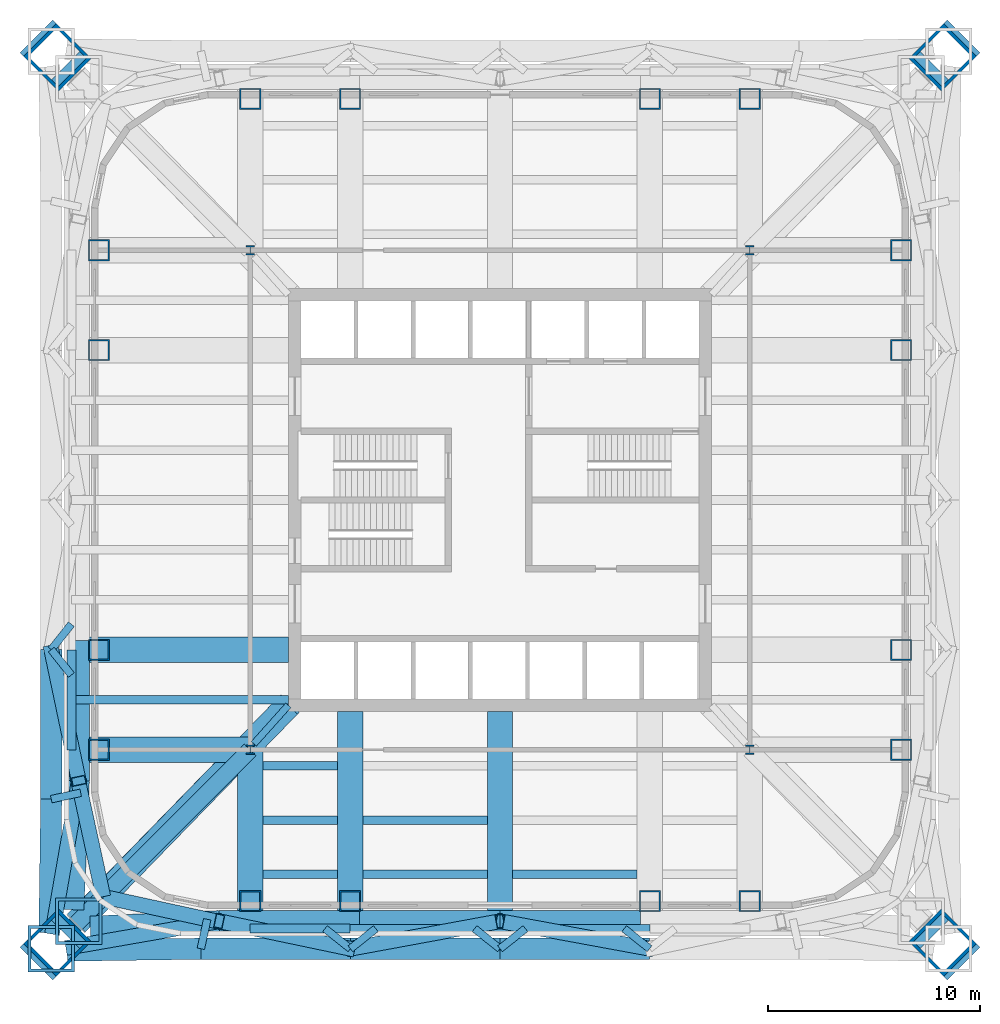
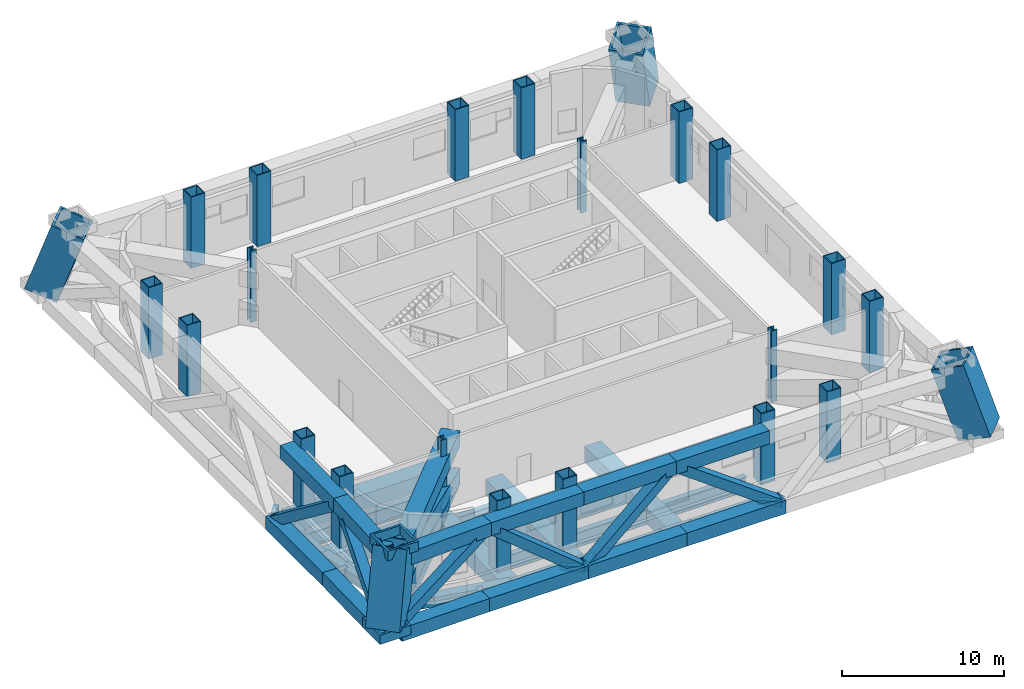
# One storey, part 1 of 9: 42 beams, 24 columns, 9 members.
"""IFC4 building model written with IfcOpenShell, lengths in metres."""

from ifc_helpers import new_model, si_unit, direction, frame, origin, origin_2d, place, context, subcontext, project, spatial, hollow_rectangle, i_section, extrude, clip, halfspace, material, material_profile, profile_set, type_object, element, save


model = new_model("IFC4")

# Units and contexts
model_context = context("Model", 3, precision=1e-05, world=origin(), true_north=direction((0.0, 1.0)))
body_context = subcontext(model_context, "Body", "Model", "MODEL_VIEW")
ifc_project = project(units=[si_unit("LENGTHUNIT", "METRE"), si_unit("AREAUNIT", "SQUARE_METRE"), si_unit("VOLUMEUNIT", "CUBIC_METRE"), si_unit("PLANEANGLEUNIT", "RADIAN"), si_unit("MASSUNIT", "GRAM", prefix="KILO")], contexts=[model_context])

# Site, building, storey
site_placement = place(None, origin())
site = spatial("IfcSite", under=ifc_project, at=site_placement, CompositionType="ELEMENT")
building_placement = place(site_placement, origin())
building = spatial("IfcBuilding", under=site, at=building_placement, Name="Turquesa Mirador Hotel Tower", CompositionType="ELEMENT")
storey_placement = place(building_placement, frame((0.0, 0.0, 156.39990234375)))
storey = spatial("IfcBuildingStorey", under=building, at=storey_placement, Name="L42", CompositionType="ELEMENT", Elevation=156.39990234375)

# Columns
ifc_material_1 = material(Name="Steel ASTM A572 Grade 50", Category="steel")
ifc_material_profile_1 = material_profile(ifc_material_1, hollow_rectangle(XDim=1.0, YDim=1.0, WallThickness=0.06005859375, at=origin_2d()), Name="BOX1000X1000X60")
ifc_profile_set_1 = profile_set([ifc_material_profile_1], Name="Steel ASTM A572 Grade 50")
column_type_1 = type_object("IfcColumnType", Name="COLUMN BOX1000X1000X60", PredefinedType="COLUMN", material=ifc_profile_set_1)
for number, where, z_axis, x_axis, name in (
    (1, (36.050048828125, 33.199951171875, 0.0), (0.0, 0.0, 1.0), (1.0, 0.0, 0.0), "COL-L42-P--18.95--11.80"),
    (2, (36.050048828125, 37.919921875, 0.0), (0.0, 0.0, 1.0), (1.0, 0.0, 0.0), "COL-L42-P--18.95--7.08"),
    (3, (36.050048828125, 52.080078125, 0.0), (0.0, 0.0, 1.0), (1.0, 0.0, 0.0), "COL-L42-P--18.95-+7.08"),
    (4, (36.050048828125, 56.800048828125, 0.0), (0.0, 0.0, 1.0), (1.0, 0.0, 0.0), "COL-L42-P--18.95-+11.80"),
    (5, (43.199951171875, 26.050048828125, 0.0), (0.0, 0.0, 1.0), (1.0, 0.0, 0.0), "COL-L42-P--11.80--18.95"),
    (6, (43.199951171875, 63.949951171875, 0.0), (0.0, 0.0, 1.0), (1.0, 0.0, 0.0), "COL-L42-P--11.80-+18.95"),
    (7, (47.919921875, 26.050048828125, 0.0), (0.0, 0.0, 1.0), (1.0, 0.0, 0.0), "COL-L42-P--7.08--18.95"),
    (8, (47.919921875, 63.949951171875, 0.0), (0.0, 0.0, 1.0), (1.0, 0.0, 0.0), "COL-L42-P--7.08-+18.95"),
    (9, (62.080078125, 26.050048828125, 0.0), (0.0, 0.0, 1.0), (1.0, 0.0, 0.0), "COL-L42-P-+7.08--18.95"),
    (10, (62.080078125, 63.949951171875, 0.0), (0.0, 0.0, 1.0), (1.0, 0.0, 0.0), "COL-L42-P-+7.08-+18.95"),
    (11, (66.800048828125, 26.050048828125, 0.0), (0.0, 0.0, 1.0), (1.0, 0.0, 0.0), "COL-L42-P-+11.80--18.95"),
    (12, (66.800048828125, 63.949951171875, 0.0), (0.0, 0.0, 1.0), (1.0, 0.0, 0.0), "COL-L42-P-+11.80-+18.95"),
    (13, (73.949951171875, 33.199951171875, 0.0), (0.0, 0.0, 1.0), (1.0, 0.0, 0.0), "COL-L42-P-+18.95--11.80"),
    (14, (73.949951171875, 37.919921875, 0.0), (0.0, 0.0, 1.0), (1.0, 0.0, 0.0), "COL-L42-P-+18.95--7.08"),
    (15, (73.949951171875, 52.080078125, 0.0), (0.0, 0.0, 1.0), (1.0, 0.0, 0.0), "COL-L42-P-+18.95-+7.08"),
    (16, (73.949951171875, 56.800048828125, 0.0), (0.0, 0.0, 1.0), (1.0, 0.0, 0.0), "COL-L42-P-+18.95-+11.80"),
):
    element("IfcColumn", number, at=place(storey_placement, frame(where, z_axis=z_axis, x_axis=x_axis)), inside=storey, type_object=column_type_1, Name=name, PredefinedType="COLUMN", context=body_context, shape_type="SweptSolid", body=[
        extrude(hollow_rectangle(XDim=1.0, YDim=1.0, WallThickness=0.06005859375, at=origin_2d()), origin(), (0.0, 0.0, 1.0), 5.400146484375),
    ])
ifc_material_2 = material(Name="Steel ASTM A992 Grade 50", Category="steel")
ifc_material_profile_2 = material_profile(ifc_material_2, i_section(OverallWidth=0.421630859375, OverallDepth=0.46484375, WebThickness=0.044921875, FlangeThickness=0.072509765625, at=origin_2d()), Name="W14X398")
ifc_profile_set_2 = profile_set([ifc_material_profile_2], Name="Steel ASTM A992 Grade 50")
column_type_2 = type_object("IfcColumnType", Name="COLUMN W14X398", PredefinedType="COLUMN", material=ifc_profile_set_2)
for number, where, z_axis, x_axis, name in (
    (17, (43.199951171875, 33.199951171875, 0.0), (0.0, 0.0, 1.0), (1.0, 0.0, 0.0), "COL-L42-K--11.80--11.80"),
    (18, (43.199951171875, 56.800048828125, 0.0), (0.0, 0.0, 1.0), (1.0, 0.0, 0.0), "COL-L42-K--11.80-+11.80"),
    (19, (66.800048828125, 33.199951171875, 0.0), (0.0, 0.0, 1.0), (1.0, 0.0, 0.0), "COL-L42-K-+11.80--11.80"),
    (20, (66.800048828125, 56.800048828125, 0.0), (0.0, 0.0, 1.0), (1.0, 0.0, 0.0), "COL-L42-K-+11.80-+11.80"),
):
    element("IfcColumn", number, at=place(storey_placement, frame(where, z_axis=z_axis, x_axis=x_axis)), inside=storey, type_object=column_type_2, Name=name, PredefinedType="COLUMN", context=body_context, shape_type="SweptSolid", body=[
        extrude(i_section(OverallWidth=0.421630859375, OverallDepth=0.46484375, WebThickness=0.044921875, FlangeThickness=0.072509765625, at=origin_2d()), origin(), (0.0, 0.0, 1.0), 5.400146484375),
    ])
ifc_material_3 = material(Name="Steel ASTM A514 Grade Q", Category="steel")
ifc_material_profile_3 = material_profile(ifc_material_3, hollow_rectangle(XDim=2.199951171875, YDim=2.199951171875, WallThickness=0.14990234375, at=origin_2d()), Name="BOX2200X2200X150")
ifc_profile_set_3 = profile_set([ifc_material_profile_3], Name="Steel ASTM A514 Grade Q")
column_type_3 = type_object("IfcColumnType", Name="MEGA COLUMN BOX2200X2200X150", PredefinedType="COLUMN", material=ifc_profile_set_3)
for number, where, z_axis, x_axis, name in (
    (21, (76.199951171875, 66.199951171875, 0.0), (-0.227897015809, -0.227897015809, 0.946639266231), (0.707106781187, -0.707106781187, 0.0), "Mega column M1"),
    (22, (33.800048828125, 66.199951171875, 0.0), (0.227897015809, -0.227897015809, 0.946639266231), (0.707106781187, 0.707106781187, 0.0), "Mega column M2"),
    (23, (33.800048828125, 23.800048828125, 0.0), (0.227897015809, 0.227897015809, 0.946639266231), (-0.707106781187, 0.707106781187, 0.0), "Mega column M3"),
    (24, (76.199951171875, 23.800048828125, 0.0), (-0.227897015809, 0.227897015809, 0.946639266231), (-0.707106781187, -0.707106781187, 0.0), "Mega column M4"),
):
    element("IfcColumn", number, at=place(storey_placement, frame(where, z_axis=z_axis, x_axis=x_axis)), inside=storey, type_object=column_type_3, Name=name, PredefinedType="COLUMN", context=body_context, shape_type="Clipping", body=[
        clip(clip(extrude(hollow_rectangle(XDim=2.199951171875, YDim=2.199951171875, WallThickness=0.14990234375, at=origin_2d()), origin(), (0.0, 0.0, 1.0), 5.70458984375), halfspace(frame((0.0, 0.0, 0.16455078125), z_axis=(0.0, 0.0, -1.0), x_axis=(1.0, 0.0, 0.0)), False)), halfspace(frame((0.0, 0.0, 5.5400390625), z_axis=(0.0, 0.0, 1.0), x_axis=(1.0, 0.0, 0.0)), False)),
    ])

# Beams
ifc_material_4 = material(Name="Steel ASTM A572 Grade 50", Category="steel")
ifc_material_profile_4 = material_profile(ifc_material_4, hollow_rectangle(XDim=1.199951171875, YDim=1.199951171875, WallThickness=0.06005859375, at=origin_2d()), Name="BOX1200X1200X60")
ifc_profile_set_4 = profile_set([ifc_material_profile_4], Name="Steel ASTM A572 Grade 50")
beam_type_1 = type_object("IfcBeamType", Name="BEAM BOX1200X1200X60", PredefinedType="BEAM", material=ifc_profile_set_4)
for number, where, z_axis, x_axis, name in (
    (25, (47.919921875, 24.75, -0.849853515625), (0.0, 1.0, 0.0), (-1.0, 0.0, 0.0), "GD-L42-S--7.08"),
    (26, (55.0, 24.75, -0.849853515625), (0.0, 1.0, 0.0), (-1.0, 0.0, 0.0), "GD-L42-S-+0.00"),
):
    element("IfcBeam", number, at=place(storey_placement, frame(where, z_axis=z_axis, x_axis=x_axis)), inside=storey, type_object=beam_type_1, Name=name, PredefinedType="BEAM", context=body_context, shape_type="SweptSolid", body=[
        extrude(hollow_rectangle(XDim=1.199951171875, YDim=1.199951171875, WallThickness=0.06005859375, at=origin_2d()), origin(), (0.0, 0.0, 1.0), 10.25),
    ])
beam_1_placement = place(storey_placement, frame((43.199951171875, 24.75, -0.849853515625), z_axis=(0.0, 1.0, 0.0), x_axis=(-1.0, 0.0, 0.0)))
element("IfcBeam", 27, at=beam_1_placement, inside=storey, type_object=beam_type_1, Name="GK-L42-S--11.80", PredefinedType="BEAM", context=body_context, shape_type="SweptSolid", body=[
    extrude(hollow_rectangle(XDim=1.199951171875, YDim=1.199951171875, WallThickness=0.06005859375, at=origin_2d()), origin(), (0.0, 0.0, 1.0), 8.449951171875),
])
beam_2_placement = place(storey_placement, frame((34.75, 37.919921875, -0.849853515625), z_axis=(1.0, 0.0, 0.0), x_axis=(0.0, 1.0, 0.0)))
element("IfcBeam", 28, at=beam_2_placement, inside=storey, type_object=beam_type_1, Name="GD-L42-W--7.08", PredefinedType="BEAM", context=body_context, shape_type="SweptSolid", body=[
    extrude(hollow_rectangle(XDim=1.199951171875, YDim=1.199951171875, WallThickness=0.06005859375, at=origin_2d()), origin(), (0.0, 0.0, 1.0), 10.25),
])
beam_3_placement = place(storey_placement, frame((34.75, 33.199951171875, -0.849853515625), z_axis=(1.0, 0.0, 0.0), x_axis=(0.0, 1.0, 0.0)))
element("IfcBeam", 29, at=beam_3_placement, inside=storey, type_object=beam_type_1, Name="GK-L42-W--11.80", PredefinedType="BEAM", context=body_context, shape_type="SweptSolid", body=[
    extrude(hollow_rectangle(XDim=1.199951171875, YDim=1.199951171875, WallThickness=0.06005859375, at=origin_2d()), origin(), (0.0, 0.0, 1.0), 8.449951171875),
])
ifc_material_5 = material(Name="Steel ASTM A572 Grade 50", Category="steel")
ifc_material_profile_5 = material_profile(ifc_material_5, hollow_rectangle(XDim=0.699951171875, YDim=0.699951171875, WallThickness=0.044921875, at=origin_2d()), Name="BOX700X700X45")
ifc_profile_set_5 = profile_set([ifc_material_profile_5], Name="Steel ASTM A572 Grade 50")
beam_type_2 = type_object("IfcBeamType", Name="BEAM BOX700X700X45", PredefinedType="BEAM", material=ifc_profile_set_5)
for number, where, z_axis, x_axis, name in (
    (30, (34.75, 33.199951171875, -0.599853515625), (0.212328336885, -0.977198381781, 0.0), (0.977198381781, 0.212328336885, 0.0), "KE-L42-3-0"),
    (31, (36.25830078125, 26.25830078125, -0.599853515625), (0.977198381781, -0.212328336885, 0.0), (0.212328336885, 0.977198381781, 0.0), "KE-L42-3-1"),
):
    element("IfcBeam", number, at=place(storey_placement, frame(where, z_axis=z_axis, x_axis=x_axis)), inside=storey, type_object=beam_type_2, Name=name, PredefinedType="BEAM", context=body_context, shape_type="SweptSolid", body=[
        extrude(hollow_rectangle(XDim=0.699951171875, YDim=0.699951171875, WallThickness=0.044921875, at=origin_2d()), origin(), (0.0, 0.0, 1.0), 7.103515625),
    ])
ifc_material_6 = material(Name="Steel ASTM A572 Grade 50", Category="steel")
ifc_material_profile_6 = material_profile(ifc_material_6, hollow_rectangle(XDim=0.800048828125, YDim=0.800048828125, WallThickness=0.050048828125, at=origin_2d()), Name="BOX800X800X50")
ifc_profile_set_6 = profile_set([ifc_material_profile_6], Name="Steel ASTM A572 Grade 50")
beam_type_3 = type_object("IfcBeamType", Name="BEAM BOX800X800X50", PredefinedType="BEAM", material=ifc_profile_set_6)
beam_4_placement = place(storey_placement, frame((43.199951171875, 33.199951171875, -0.64990234375), z_axis=(-0.707106781187, -0.707106781187, 0.0), x_axis=(0.707106781187, -0.707106781187, 0.0)))
element("IfcBeam", 32, at=beam_4_placement, inside=storey, type_object=beam_type_3, Name="KD-L42-3", PredefinedType="BEAM", context=body_context, shape_type="SweptSolid", body=[
    extrude(hollow_rectangle(XDim=0.800048828125, YDim=0.800048828125, WallThickness=0.050048828125, at=origin_2d()), origin(), (0.0, 0.0, 1.0), 11.80859375),
])
ifc_material_7 = material(Name="Steel ASTM A992 Grade 50", Category="steel")
ifc_material_profile_7 = material_profile(ifc_material_7, i_section(OverallWidth=0.3251953125, OverallDepth=0.612060546875, WebThickness=0.0126953125, FlangeThickness=0.01904296875, at=origin_2d()), Name="W24X104")
ifc_profile_set_7 = profile_set([ifc_material_profile_7], Name="Steel ASTM A992 Grade 50")
beam_type_4 = type_object("IfcBeamType", Name="BEAM W24X104", PredefinedType="BEAM", material=ifc_profile_set_7)
beam_5_placement = place(storey_placement, frame((43.373046875, 33.481689453125, -0.555908203125), z_axis=(0.66679485947, 0.745241313525, 0.0), x_axis=(-0.745241313525, 0.66679485947, 0.0)))
element("IfcBeam", 33, at=beam_5_placement, inside=storey, type_object=beam_type_4, Name="KT-L42-3", PredefinedType="BEAM", context=body_context, shape_type="SweptSolid", body=[
    extrude(i_section(OverallWidth=0.3251953125, OverallDepth=0.612060546875, WebThickness=0.0126953125, FlangeThickness=0.01904296875, at=origin_2d()), origin(), (0.0, 0.0, 1.0), 2.43994140625),
])
ifc_material_8 = material(Name="Steel ASTM A992 Grade 50", Category="steel")
ifc_material_profile_8 = material_profile(ifc_material_8, i_section(OverallWidth=0.419189453125, OverallDepth=0.927001953125, WebThickness=0.019287109375, FlangeThickness=0.031982421875, at=origin_2d()), Name="W36X231")
ifc_profile_set_8 = profile_set([ifc_material_profile_8], Name="Steel ASTM A992 Grade 50")
beam_type_5 = type_object("IfcBeamType", Name="BEAM W36X231", PredefinedType="BEAM", material=ifc_profile_set_8)
for number, where, z_axis, x_axis, name in (
    (34, (43.199951171875, 24.75, -0.71337890625), (1.0, 0.0, 0.0), (0.0, 1.0, 0.0), "EB-L42-S-L"),
    (35, (34.75, 33.199951171875, -0.71337890625), (0.0, 1.0, 0.0), (-1.0, 0.0, 0.0), "EB-L42-W-L"),
):
    element("IfcBeam", number, at=place(storey_placement, frame(where, z_axis=z_axis, x_axis=x_axis)), inside=storey, type_object=beam_type_5, Name=name, PredefinedType="BEAM", context=body_context, shape_type="SweptSolid", body=[
        extrude(i_section(OverallWidth=0.419189453125, OverallDepth=0.927001953125, WebThickness=0.019287109375, FlangeThickness=0.031982421875, at=origin_2d()), origin(), (0.0, 0.0, 1.0), 4.719970703125),
    ])
ifc_material_9 = material(Name="Steel ASTM A992 Grade 50", Category="steel")
ifc_material_profile_9 = material_profile(ifc_material_9, i_section(OverallWidth=0.40380859375, OverallDepth=1.11767578125, WebThickness=0.026123046875, FlangeThickness=0.044921875, at=origin_2d()), Name="W44X335")
ifc_profile_set_9 = profile_set([ifc_material_profile_9], Name="Steel ASTM A992 Grade 50")
beam_type_6 = type_object("IfcBeamType", Name="BEAM W44X335", PredefinedType="BEAM", material=ifc_profile_set_9)
for number, where, z_axis, x_axis, name in (
    (36, (43.800048828125, 32.43798828125, -0.80859375), (1.0, 0.0, 0.0), (0.0, 1.0, 0.0), "IB-L42-S-1-0"),
    (37, (43.800048828125, 29.875, -0.80859375), (1.0, 0.0, 0.0), (0.0, 1.0, 0.0), "IB-L42-S-2-0"),
):
    element("IfcBeam", number, at=place(storey_placement, frame(where, z_axis=z_axis, x_axis=x_axis)), inside=storey, type_object=beam_type_6, Name=name, PredefinedType="BEAM", context=body_context, shape_type="SweptSolid", body=[
        extrude(i_section(OverallWidth=0.40380859375, OverallDepth=1.11767578125, WebThickness=0.026123046875, FlangeThickness=0.044921875, at=origin_2d()), origin(), (0.0, 0.0, 1.0), 3.52001953125),
    ])
beam_6_placement = place(storey_placement, frame((48.52001953125, 29.875, -0.80859375), z_axis=(1.0, 0.0, 0.0), x_axis=(0.0, 1.0, 0.0)))
element("IfcBeam", 38, at=beam_6_placement, inside=storey, type_object=beam_type_6, Name="IB-L42-S-2-1", PredefinedType="BEAM", context=body_context, shape_type="SweptSolid", body=[
    extrude(i_section(OverallWidth=0.40380859375, OverallDepth=1.11767578125, WebThickness=0.026123046875, FlangeThickness=0.044921875, at=origin_2d()), origin(), (0.0, 0.0, 1.0), 5.8798828125),
])
beam_7_placement = place(storey_placement, frame((43.800048828125, 27.31201171875, -0.80859375), z_axis=(1.0, 0.0, 0.0), x_axis=(0.0, 1.0, 0.0)))
element("IfcBeam", 39, at=beam_7_placement, inside=storey, type_object=beam_type_6, Name="IB-L42-S-3-0", PredefinedType="BEAM", context=body_context, shape_type="SweptSolid", body=[
    extrude(i_section(OverallWidth=0.40380859375, OverallDepth=1.11767578125, WebThickness=0.026123046875, FlangeThickness=0.044921875, at=origin_2d()), origin(), (0.0, 0.0, 1.0), 3.52001953125),
])
for number, where, z_axis, x_axis, name in (
    (40, (48.52001953125, 27.31201171875, -0.80859375), (1.0, 0.0, 0.0), (0.0, 1.0, 0.0), "IB-L42-S-3-1"),
    (41, (55.60009765625, 27.31201171875, -0.80859375), (1.0, 0.0, 0.0), (0.0, 1.0, 0.0), "IB-L42-S-3-2"),
):
    element("IfcBeam", number, at=place(storey_placement, frame(where, z_axis=z_axis, x_axis=x_axis)), inside=storey, type_object=beam_type_6, Name=name, PredefinedType="BEAM", context=body_context, shape_type="SweptSolid", body=[
        extrude(i_section(OverallWidth=0.40380859375, OverallDepth=1.11767578125, WebThickness=0.026123046875, FlangeThickness=0.044921875, at=origin_2d()), origin(), (0.0, 0.0, 1.0), 5.8798828125),
    ])
beam_8_placement = place(storey_placement, frame((47.919921875, 24.75, -0.80859375), z_axis=(1.0, 0.0, 0.0), x_axis=(0.0, 1.0, 0.0)))
element("IfcBeam", 42, at=beam_8_placement, inside=storey, type_object=beam_type_6, Name="EB-L42-S-C", PredefinedType="BEAM", context=body_context, shape_type="SweptSolid", body=[
    extrude(i_section(OverallWidth=0.40380859375, OverallDepth=1.11767578125, WebThickness=0.026123046875, FlangeThickness=0.044921875, at=origin_2d()), origin(), (0.0, 0.0, 1.0), 14.16015625),
])
beam_9_placement = place(storey_placement, frame((34.75, 35.56005859375, -0.80859375), z_axis=(1.0, 0.0, 0.0), x_axis=(0.0, 1.0, 0.0)))
element("IfcBeam", 43, at=beam_9_placement, inside=storey, type_object=beam_type_6, Name="BM-L42-W--9.44", PredefinedType="BEAM", context=body_context, shape_type="SweptSolid", body=[
    extrude(i_section(OverallWidth=0.40380859375, OverallDepth=1.11767578125, WebThickness=0.026123046875, FlangeThickness=0.044921875, at=origin_2d()), origin(), (0.0, 0.0, 1.0), 10.25),
])
ifc_material_10 = material(Name="Steel ASTM A572 Grade 50", Category="steel")
ifc_material_profile_10 = material_profile(ifc_material_10, hollow_rectangle(XDim=1.0, YDim=1.0, WallThickness=0.06005859375, at=origin_2d()), Name="BOX1000X1000X60")
ifc_profile_set_10 = profile_set([ifc_material_profile_10], Name="Steel ASTM A572 Grade 50")
beam_type_7 = type_object("IfcBeamType", Name="BELT TRUSS CHORD BOX1000X1000X60", PredefinedType="BEAM", material=ifc_profile_set_10)
beam_10_placement = place(storey_placement, frame((34.557373046875, 23.70947265625, -0.427734375), z_axis=(0.999896969728, 0.014354439336, 0.0), x_axis=(-0.014354439336, 0.999896969728, 0.0)))
element("IfcBeam", 44, at=beam_10_placement, inside=storey, type_object=beam_type_7, Name="Belt truss bottom chord S", PredefinedType="BEAM", context=body_context, shape_type="SweptSolid", body=[
    extrude(hollow_rectangle(XDim=1.0, YDim=1.0, WallThickness=0.06005859375, at=origin_2d()), origin(), (0.0, 0.0, 1.0), 6.31005859375),
])
beam_11_placement = place(storey_placement, frame((35.641845703125, 24.845703125, 4.2001953125), z_axis=(0.999129112797, 0.041725483369, 0.0), x_axis=(-0.041725483369, 0.999129112797, 0.0)))
element("IfcBeam", 45, at=beam_11_placement, inside=storey, type_object=beam_type_7, Name="Belt truss top chord S", PredefinedType="BEAM", context=body_context, shape_type="SweptSolid", body=[
    extrude(hollow_rectangle(XDim=1.0, YDim=1.0, WallThickness=0.06005859375, at=origin_2d()), origin(), (0.0, 0.0, 1.0), 6.096923828125),
])
beam_12_placement = place(storey_placement, frame((40.86669921875, 23.800048828125, -0.427734375), z_axis=(1.0, 0.0, 0.0), x_axis=(0.0, 1.0, 0.0)))
element("IfcBeam", 46, at=beam_12_placement, inside=storey, type_object=beam_type_7, Name="Belt truss bottom chord S", PredefinedType="BEAM", context=body_context, shape_type="SweptSolid", body=[
    extrude(hollow_rectangle(XDim=1.0, YDim=1.0, WallThickness=0.06005859375, at=origin_2d()), origin(), (0.0, 0.0, 1.0), 7.066650390625),
])
beam_13_placement = place(storey_placement, frame((41.7333984375, 25.10009765625, 4.2001953125), z_axis=(1.0, 0.0, 0.0), x_axis=(0.0, 1.0, 0.0)))
element("IfcBeam", 47, at=beam_13_placement, inside=storey, type_object=beam_type_7, Name="Belt truss top chord S", PredefinedType="BEAM", context=body_context, shape_type="SweptSolid", body=[
    extrude(hollow_rectangle(XDim=1.0, YDim=1.0, WallThickness=0.06005859375, at=origin_2d()), origin(), (0.0, 0.0, 1.0), 6.63330078125),
])
beam_14_placement = place(storey_placement, frame((47.933349609375, 23.800048828125, -0.427734375), z_axis=(1.0, 0.0, 0.0), x_axis=(0.0, 1.0, 0.0)))
element("IfcBeam", 48, at=beam_14_placement, inside=storey, type_object=beam_type_7, Name="Belt truss bottom chord S", PredefinedType="BEAM", context=body_context, shape_type="SweptSolid", body=[
    extrude(hollow_rectangle(XDim=1.0, YDim=1.0, WallThickness=0.06005859375, at=origin_2d()), origin(), (0.0, 0.0, 1.0), 7.066650390625),
])
beam_15_placement = place(storey_placement, frame((48.36669921875, 25.10009765625, 4.2001953125), z_axis=(1.0, 0.0, 0.0), x_axis=(0.0, 1.0, 0.0)))
element("IfcBeam", 49, at=beam_15_placement, inside=storey, type_object=beam_type_7, Name="Belt truss top chord S", PredefinedType="BEAM", context=body_context, shape_type="SweptSolid", body=[
    extrude(hollow_rectangle(XDim=1.0, YDim=1.0, WallThickness=0.06005859375, at=origin_2d()), origin(), (0.0, 0.0, 1.0), 6.63330078125),
])
beam_16_placement = place(storey_placement, frame((55.0, 23.800048828125, -0.427734375), z_axis=(1.0, 0.0, 0.0), x_axis=(0.0, 1.0, 0.0)))
element("IfcBeam", 50, at=beam_16_placement, inside=storey, type_object=beam_type_7, Name="Belt truss bottom chord S", PredefinedType="BEAM", context=body_context, shape_type="SweptSolid", body=[
    extrude(hollow_rectangle(XDim=1.0, YDim=1.0, WallThickness=0.06005859375, at=origin_2d()), origin(), (0.0, 0.0, 1.0), 7.066650390625),
])
beam_17_placement = place(storey_placement, frame((55.0, 25.10009765625, 4.2001953125), z_axis=(1.0, 0.0, 0.0), x_axis=(0.0, 1.0, 0.0)))
element("IfcBeam", 51, at=beam_17_placement, inside=storey, type_object=beam_type_7, Name="Belt truss top chord S", PredefinedType="BEAM", context=body_context, shape_type="SweptSolid", body=[
    extrude(hollow_rectangle(XDim=1.0, YDim=1.0, WallThickness=0.06005859375, at=origin_2d()), origin(), (0.0, 0.0, 1.0), 6.63330078125),
])
beam_18_placement = place(storey_placement, frame((33.70947265625, 24.557373046875, -0.427734375), z_axis=(0.014354439336, 0.999896969728, 0.0), x_axis=(-0.999896969728, 0.014354439336, 0.0)))
element("IfcBeam", 52, at=beam_18_placement, inside=storey, type_object=beam_type_7, Name="Belt truss bottom chord W", PredefinedType="BEAM", context=body_context, shape_type="SweptSolid", body=[
    extrude(hollow_rectangle(XDim=1.0, YDim=1.0, WallThickness=0.06005859375, at=origin_2d()), origin(), (0.0, 0.0, 1.0), 6.31005859375),
])
beam_19_placement = place(storey_placement, frame((34.845703125, 25.641845703125, 4.2001953125), z_axis=(0.041725483369, 0.999129112797, 0.0), x_axis=(-0.999129112797, 0.041725483369, 0.0)))
element("IfcBeam", 53, at=beam_19_placement, inside=storey, type_object=beam_type_7, Name="Belt truss top chord W", PredefinedType="BEAM", context=body_context, shape_type="SweptSolid", body=[
    extrude(hollow_rectangle(XDim=1.0, YDim=1.0, WallThickness=0.06005859375, at=origin_2d()), origin(), (0.0, 0.0, 1.0), 6.096923828125),
])
beam_20_placement = place(storey_placement, frame((33.800048828125, 30.86669921875, -0.427734375), z_axis=(0.0, 1.0, 0.0), x_axis=(-1.0, 0.0, 0.0)))
element("IfcBeam", 54, at=beam_20_placement, inside=storey, type_object=beam_type_7, Name="Belt truss bottom chord W", PredefinedType="BEAM", context=body_context, shape_type="SweptSolid", body=[
    extrude(hollow_rectangle(XDim=1.0, YDim=1.0, WallThickness=0.06005859375, at=origin_2d()), origin(), (0.0, 0.0, 1.0), 7.066650390625),
])
beam_21_placement = place(storey_placement, frame((35.10009765625, 31.7333984375, 4.2001953125), z_axis=(0.0, 1.0, 0.0), x_axis=(-1.0, 0.0, 0.0)))
element("IfcBeam", 55, at=beam_21_placement, inside=storey, type_object=beam_type_7, Name="Belt truss top chord W", PredefinedType="BEAM", context=body_context, shape_type="SweptSolid", body=[
    extrude(hollow_rectangle(XDim=1.0, YDim=1.0, WallThickness=0.06005859375, at=origin_2d()), origin(), (0.0, 0.0, 1.0), 6.63330078125),
])

# Members
ifc_material_11 = material(Name="Steel ASTM A572 Grade 50", Category="steel")
ifc_material_profile_11 = material_profile(ifc_material_11, hollow_rectangle(XDim=0.699951171875, YDim=0.699951171875, WallThickness=0.044921875, at=origin_2d()), Name="BOX700X700X45")
ifc_profile_set_11 = profile_set([ifc_material_profile_11], Name="Steel ASTM A572 Grade 50")
member_type_1 = type_object("IfcMemberType", Name="BELT TRUSS DIAGONAL BOX700X700X45", PredefinedType="BRACE", material=ifc_profile_set_11)
member_1_placement = place(storey_placement, frame((34.661376953125, 23.865478515625, 0.127685546875), z_axis=(0.856833315101, 0.149584219093, 0.493417907591), x_axis=(-0.171976927021, 0.985100977856, 0.0)))
element("IfcMember", 56, at=member_1_placement, inside=storey, type_object=member_type_1, Name="Belt truss diagonal S", PredefinedType="BRACE", context=body_context, shape_type="SweptSolid", body=[
    extrude(hollow_rectangle(XDim=0.699951171875, YDim=0.699951171875, WallThickness=0.044921875, at=origin_2d()), origin(), (0.0, 0.0, 1.0), 8.253662109375),
])
member_2_placement = place(storey_placement, frame((41.7333984375, 25.10009765625, 4.2001953125), z_axis=(0.790285340861, -0.165712519791, -0.589905450733), x_axis=(0.205223775736, 0.978715076962, 0.0)))
element("IfcMember", 57, at=member_2_placement, inside=storey, type_object=member_type_1, Name="Belt truss diagonal S", PredefinedType="BRACE", context=body_context, shape_type="SweptSolid", body=[
    extrude(hollow_rectangle(XDim=0.699951171875, YDim=0.699951171875, WallThickness=0.044921875, at=origin_2d()), origin(), (0.0, 0.0, 1.0), 7.84521484375),
])
for number, where, z_axis, x_axis, name in (
    (58, (47.933349609375, 23.800048828125, -0.427734375), (0.826831753144, 0.152111904836, 0.541489815602), (-0.180933248929, 0.98349537845, 0.0), "Belt truss diagonal S"),
    (59, (55.0, 25.10009765625, 4.2001953125), (0.826831753144, -0.152111904836, -0.541489815602), (0.180933248929, 0.98349537845, 0.0), "Belt truss diagonal S"),
):
    element("IfcMember", number, at=place(storey_placement, frame(where, z_axis=z_axis, x_axis=x_axis)), inside=storey, type_object=member_type_1, Name=name, PredefinedType="BRACE", context=body_context, shape_type="SweptSolid", body=[
        extrude(hollow_rectangle(XDim=0.699951171875, YDim=0.699951171875, WallThickness=0.044921875, at=origin_2d()), origin(), (0.0, 0.0, 1.0), 8.546630859375),
    ])
member_3_placement = place(storey_placement, frame((33.865478515625, 24.661376953125, 0.127685546875), z_axis=(0.149584219093, 0.856833315101, 0.493417907591), x_axis=(-0.985100977856, 0.171976927021, 0.0)))
element("IfcMember", 60, at=member_3_placement, inside=storey, type_object=member_type_1, Name="Belt truss diagonal W", PredefinedType="BRACE", context=body_context, shape_type="SweptSolid", body=[
    extrude(hollow_rectangle(XDim=0.699951171875, YDim=0.699951171875, WallThickness=0.044921875, at=origin_2d()), origin(), (0.0, 0.0, 1.0), 8.253662109375),
])
member_4_placement = place(storey_placement, frame((35.10009765625, 31.7333984375, 4.2001953125), z_axis=(-0.165712519791, 0.790285340861, -0.589905450733), x_axis=(-0.978715076962, -0.205223775736, 0.0)))
element("IfcMember", 61, at=member_4_placement, inside=storey, type_object=member_type_1, Name="Belt truss diagonal W", PredefinedType="BRACE", context=body_context, shape_type="SweptSolid", body=[
    extrude(hollow_rectangle(XDim=0.699951171875, YDim=0.699951171875, WallThickness=0.044921875, at=origin_2d()), origin(), (0.0, 0.0, 1.0), 7.84521484375),
])

# Beams
ifc_material_12 = material(Name="Steel ASTM A500 Grade C", Category="steel")
ifc_material_profile_12 = material_profile(ifc_material_12, hollow_rectangle(XDim=0.355712890625, YDim=0.355712890625, WallThickness=0.0146484375, at=origin_2d()), Name="HSS14X14X5/8")
ifc_profile_set_12 = profile_set([ifc_material_profile_12], Name="Steel ASTM A500 Grade C")
beam_type_8 = type_object("IfcBeamType", Name="BRACE STRUT HSS14X14X5/8", PredefinedType="BEAM", material=ifc_profile_set_12)
beam_22_placement = place(storey_placement, frame((40.86669921875, 23.800048828125, -0.427734375), z_axis=(0.21228014704, 0.977208851358, 0.0), x_axis=(-0.977208851358, 0.21228014704, 0.0)))
element("IfcBeam", 62, at=beam_22_placement, inside=storey, type_object=beam_type_8, Name="Brace strut", PredefinedType="BEAM", context=body_context, shape_type="SweptSolid", body=[
    extrude(hollow_rectangle(XDim=0.355712890625, YDim=0.355712890625, WallThickness=0.0146484375, at=origin_2d()), origin(), (0.0, 0.0, 1.0), 1.423828125),
])
for number, where, z_axis, x_axis, name in (
    (63, (47.933349609375, 23.800048828125, -0.427734375), (-0.784049059149, 0.620698858423, 0.0), (-0.620698858423, -0.784049059149, 0.0), "Brace strut"),
    (64, (47.933349609375, 23.800048828125, -0.427734375), (0.784049059149, 0.620698858423, 0.0), (-0.620698858423, 0.784049059149, 0.0), "Brace strut"),
    (65, (55.0, 23.800048828125, -0.427734375), (-0.784049059149, 0.620698858423, 0.0), (-0.620698858423, -0.784049059149, 0.0), "Brace strut"),
    (66, (55.0, 23.800048828125, -0.427734375), (0.784049059149, 0.620698858423, 0.0), (-0.620698858423, 0.784049059149, 0.0), "Brace strut"),
    (67, (62.066650390625, 23.800048828125, -0.427734375), (-0.784049059149, 0.620698858423, 0.0), (-0.620698858423, -0.784049059149, 0.0), "Brace strut"),
):
    element("IfcBeam", number, at=place(storey_placement, frame(where, z_axis=z_axis, x_axis=x_axis)), inside=storey, type_object=beam_type_8, Name=name, PredefinedType="BEAM", context=body_context, shape_type="SweptSolid", body=[
        extrude(hollow_rectangle(XDim=0.355712890625, YDim=0.355712890625, WallThickness=0.0146484375, at=origin_2d()), origin(), (0.0, 0.0, 1.0), 1.530517578125),
    ])
beam_23_placement = place(storey_placement, frame((33.800048828125, 30.86669921875, -0.427734375), z_axis=(0.977208851358, 0.21228014704, 0.0), x_axis=(-0.21228014704, 0.977208851358, 0.0)))
element("IfcBeam", 68, at=beam_23_placement, inside=storey, type_object=beam_type_8, Name="Brace strut", PredefinedType="BEAM", context=body_context, shape_type="SweptSolid", body=[
    extrude(hollow_rectangle(XDim=0.355712890625, YDim=0.355712890625, WallThickness=0.0146484375, at=origin_2d()), origin(), (0.0, 0.0, 1.0), 1.423828125),
])
for number, where, z_axis, x_axis, name in (
    (69, (33.800048828125, 37.933349609375, -0.427734375), (0.620698858423, -0.784049059149, 0.0), (0.784049059149, 0.620698858423, 0.0), "Brace strut"),
    (70, (33.800048828125, 37.933349609375, -0.427734375), (0.620698858423, 0.784049059149, 0.0), (-0.784049059149, 0.620698858423, 0.0), "Brace strut"),
):
    element("IfcBeam", number, at=place(storey_placement, frame(where, z_axis=z_axis, x_axis=x_axis)), inside=storey, type_object=beam_type_8, Name=name, PredefinedType="BEAM", context=body_context, shape_type="SweptSolid", body=[
        extrude(hollow_rectangle(XDim=0.355712890625, YDim=0.355712890625, WallThickness=0.0146484375, at=origin_2d()), origin(), (0.0, 0.0, 1.0), 1.530517578125),
    ])

# Members
ifc_material_13 = material(Name="Cast steel ASTM A958 Grade SC8620 Class 80/50", Category="steel")
ifc_material_profile_13 = material_profile(ifc_material_13, hollow_rectangle(XDim=2.199951171875, YDim=2.199951171875, WallThickness=0.14990234375, at=origin_2d()), Name="NODE2200X2200X150")
ifc_profile_set_13 = profile_set([ifc_material_profile_13], Name="Cast steel ASTM A958 Grade SC8620 Class 80/50")
member_type_2 = type_object("IfcMemberType", Name="MEGA COLUMN NODE NODE2200X2200X150", PredefinedType="USERDEFINED", material=ifc_profile_set_13)
for number, where, z_axis, x_axis, name in (
    (71, (33.800048828125, 23.800048828125, -0.20166015625), (0.0, 0.0, 1.0), (1.0, 0.0, 0.0), "Mega column node M3 base"),
    (72, (35.10009765625, 25.10009765625, 4.89013671875), (0.0, 0.0, 1.0), (1.0, 0.0, 0.0), "Mega column node M3 head"),
):
    element("IfcMember", number, at=place(storey_placement, frame(where, z_axis=z_axis, x_axis=x_axis)), inside=storey, type_object=member_type_2, Name=name, ObjectType="MEGA COLUMN NODE", PredefinedType="USERDEFINED", context=body_context, shape_type="SweptSolid", body=[
        extrude(hollow_rectangle(XDim=2.199951171875, YDim=2.199951171875, WallThickness=0.14990234375, at=origin_2d()), origin(), (0.0, 0.0, 1.0), 0.711669921875),
    ])

# Beams
ifc_material_14 = material(Name="Steel ASTM A572 Grade 50", Category="steel")
ifc_material_profile_14 = material_profile(ifc_material_14, hollow_rectangle(XDim=1.199951171875, YDim=1.199951171875, WallThickness=0.080078125, at=origin_2d()), Name="BOX1200X1200X80")
ifc_profile_set_14 = profile_set([ifc_material_profile_14], Name="Steel ASTM A572 Grade 50")
beam_type_9 = type_object("IfcBeamType", Name="OUTRIGGER CHORD BOX1200X1200X80", PredefinedType="BEAM", material=ifc_profile_set_14)
beam_24_placement = place(storey_placement, frame((45.0, 35.300048828125, 0.650146484375), z_axis=(-0.697568930557, -0.716517680955, 0.0), x_axis=(0.716517680955, -0.697568930557, 0.0)))
element("IfcBeam", 73, at=beam_24_placement, inside=storey, type_object=beam_type_9, Name="Outrigger bottom chord 3", PredefinedType="BEAM", context=body_context, shape_type="SweptSolid", body=[
    extrude(hollow_rectangle(XDim=1.199951171875, YDim=1.199951171875, WallThickness=0.080078125, at=origin_2d()), origin(), (0.0, 0.0, 1.0), 14.365966796875),
])
beam_25_placement = place(storey_placement, frame((45.0, 35.300048828125, 3.550048828125), z_axis=(-0.696925949227, -0.717143096805, 0.0), x_axis=(0.717143096805, -0.696925949227, 0.0)))
element("IfcBeam", 74, at=beam_25_placement, inside=storey, type_object=beam_type_9, Name="Outrigger top chord 3", PredefinedType="BEAM", context=body_context, shape_type="SweptSolid", body=[
    extrude(hollow_rectangle(XDim=1.199951171875, YDim=1.199951171875, WallThickness=0.080078125, at=origin_2d()), origin(), (0.0, 0.0, 1.0), 13.380126953125),
])

# Member
ifc_material_15 = material(Name="Steel ASTM A572 Grade 50", Category="steel")
ifc_material_profile_15 = material_profile(ifc_material_15, hollow_rectangle(XDim=1.199951171875, YDim=1.199951171875, WallThickness=0.080078125, at=origin_2d()), Name="BOX1200X1200X80")
ifc_profile_set_15 = profile_set([ifc_material_profile_15], Name="Steel ASTM A572 Grade 50")
member_type_3 = type_object("IfcMemberType", Name="OUTRIGGER DIAGONAL BOX1200X1200X80", PredefinedType="BRACE", material=ifc_profile_set_15)
member_5_placement = place(storey_placement, frame((45.0, 35.300048828125, 0.650146484375), z_axis=(-0.683994928297, -0.703836959468, 0.191740638756), x_axis=(0.717143096805, -0.696925949227, 0.0)))
element("IfcMember", 75, at=member_5_placement, inside=storey, type_object=member_type_3, Name="Outrigger diagonal 3", PredefinedType="BRACE", context=body_context, shape_type="SweptSolid", body=[
    extrude(hollow_rectangle(XDim=1.199951171875, YDim=1.199951171875, WallThickness=0.080078125, at=origin_2d()), origin(), (0.0, 0.0, 1.0), 13.633056640625),
])

save(model, "model.ifc")
